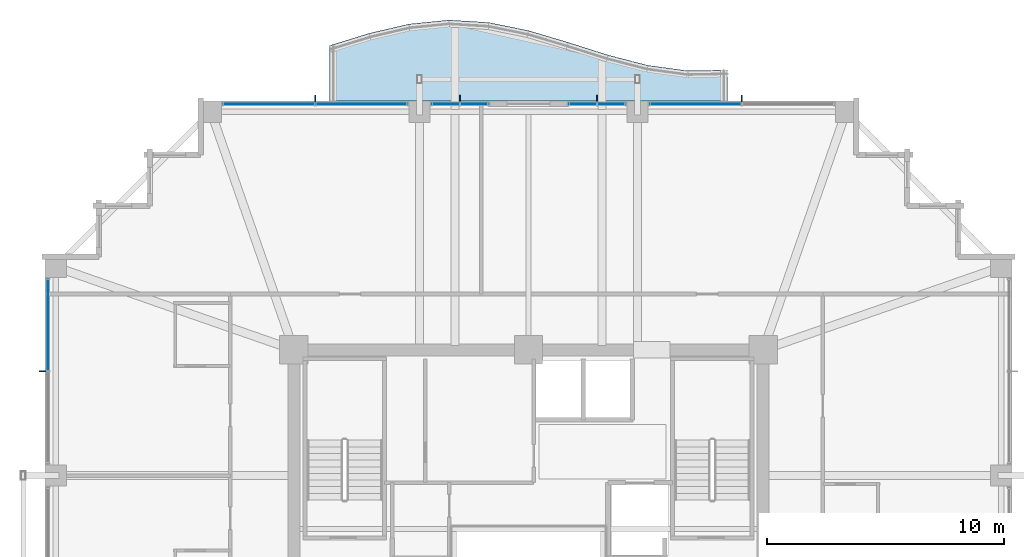
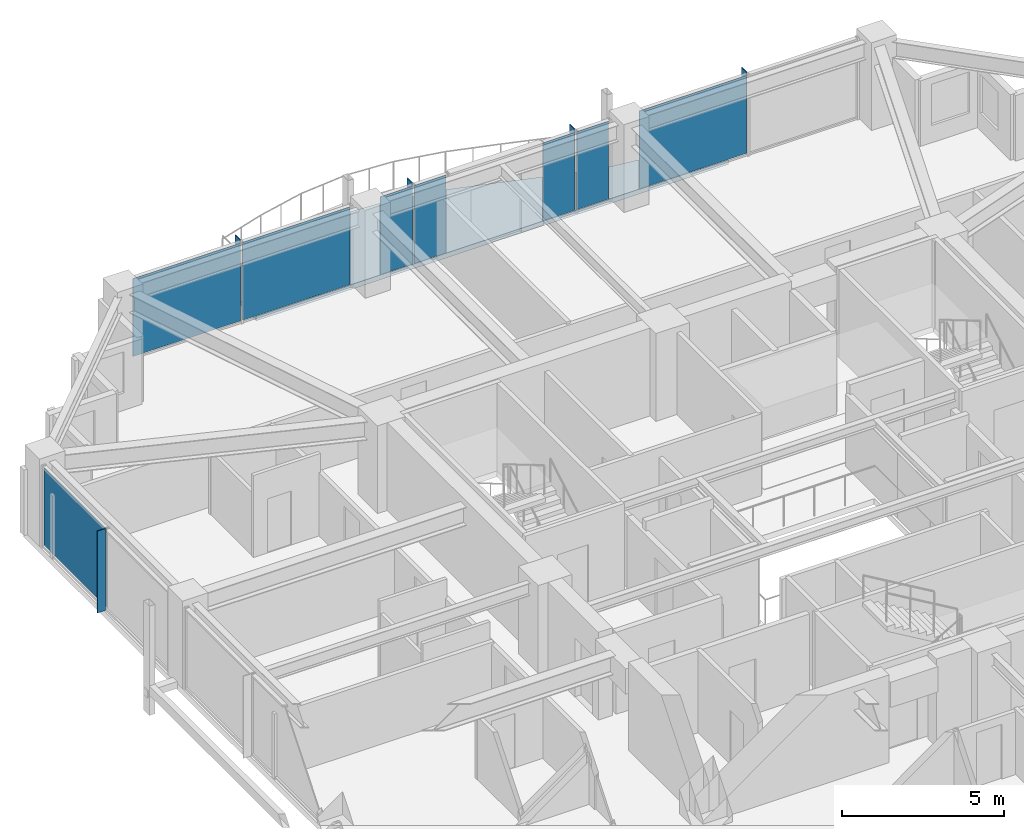
# One storey, part 29 of 37: 13 plates, 1 slab, 5 elements without a shape of their own.
"""IFC4 building model written with IfcOpenShell, lengths in metres."""

import ifcopenshell
import ifcopenshell.guid

model = None  # the IFC model being written
_history = None  # IfcOwnerHistory: only IFC2X3 demands one
_inside = {}  # id of a spatial element -> (the spatial element, [elements in it])
_under = {}  # id of a project, library or spatial element -> (it, [spatial elements below it])
_declared = {}  # id of a project -> (the project, [libraries it declares])
_typed = {}  # id of a type object -> (the type object, [elements of that type])
_made_of = {}  # id of a material, layer set ... -> (it, [elements and type objects made of it])


def new_model(schema):
    """Start an empty IFC model of exactly this schema.

    Asked for "IFC4X3", IfcOpenShell would pick the latest addendum, in which some entities
    have other attributes; the version numbers below select the first issue.
    IFC2X3 requires an IfcOwnerHistory on every rooted entity: one is made here for all.
    """
    global model, _history
    if schema == "IFC4X3":
        model = ifcopenshell.file(schema_version=(4, 3, 0, 0))
    else:
        model = ifcopenshell.file(schema=schema)
    _inside.clear()
    _under.clear()
    _declared.clear()
    _typed.clear()
    _made_of.clear()
    _history = None
    if model.schema == "IFC2X3":
        org = make("IfcOrganization", Name="unknown")
        user = make(
            "IfcPersonAndOrganization",
            ThePerson=make("IfcPerson", FamilyName="unknown"),
            TheOrganization=org,
        )
        app = make(
            "IfcApplication",
            ApplicationDeveloper=org,
            Version="unknown",
            ApplicationFullName="unknown",
            ApplicationIdentifier="unknown",
        )
        _history = make(
            "IfcOwnerHistory",
            OwningUser=user,
            OwningApplication=app,
            ChangeAction="ADDED",
            CreationDate=0,
        )
    return model


def make(cls, **values):
    """One entity of the class cls with the attributes given. An attribute that is None is left unset."""
    return model.create_entity(
        cls, **{name: value for name, value in values.items() if value is not None}
    )


def rooted(cls, **values):
    """An entity with a GlobalId (a new one), such as an element, a storey or a relation."""
    return make(cls, GlobalId=ifcopenshell.guid.new(), OwnerHistory=_history, **values)


def si_unit(unit_type, name, prefix=None):
    """IfcSIUnit, for example si_unit("LENGTHUNIT", "METRE", prefix="MILLI")."""
    return make("IfcSIUnit", UnitType=unit_type, Prefix=prefix, Name=name)


def assignment(units):
    """IfcUnitAssignment: the units of a project."""
    return None if units is None else make("IfcUnitAssignment", Units=units)


def point(xyz):
    """IfcCartesianPoint."""
    return None if xyz is None else make("IfcCartesianPoint", Coordinates=xyz)


def direction(xyz):
    """IfcDirection."""
    return None if xyz is None else make("IfcDirection", DirectionRatios=xyz)


def frame(location, z_axis=None, x_axis=None):
    """IfcAxis2Placement3D, a coordinate frame: its origin and axes. An axis left out is left unset."""
    return make(
        "IfcAxis2Placement3D",
        Location=point(location),
        Axis=direction(z_axis),
        RefDirection=direction(x_axis),
    )


def frame_2d(location, x_axis=None):
    """IfcAxis2Placement2D, a coordinate frame in the plane: its origin and x axis."""
    return make(
        "IfcAxis2Placement2D", Location=point(location), RefDirection=direction(x_axis)
    )


def origin():
    """The frame at (0, 0, 0) with its axes left unset."""
    return frame((0.0, 0.0, 0.0))


def origin_2d():
    """The frame at (0, 0) in the plane with its x axis left unset."""
    return frame_2d((0.0, 0.0))


def place(relative_to, where):
    """IfcLocalPlacement: puts the frame where relative to a parent placement (None: the world)."""
    return make(
        "IfcLocalPlacement", PlacementRelTo=relative_to, RelativePlacement=where
    )


def context(
    kind, dimensions, precision=None, world=None, true_north=None, identifier=None
):
    """IfcGeometricRepresentationContext, for example the 3D "Model" context."""
    return make(
        "IfcGeometricRepresentationContext",
        ContextIdentifier=identifier,
        ContextType=kind,
        CoordinateSpaceDimension=dimensions,
        Precision=precision,
        WorldCoordinateSystem=world,
        TrueNorth=true_north,
    )


def subcontext(parent, identifier, kind, view, scale=None):
    """IfcGeometricRepresentationSubContext, for example "Body" below "Model"."""
    return make(
        "IfcGeometricRepresentationSubContext",
        ContextIdentifier=identifier,
        ContextType=kind,
        ParentContext=parent,
        TargetScale=scale,
        TargetView=view,
    )


def project(units=None, contexts=None):
    """IfcProject with its units and contexts."""
    return rooted(
        "IfcProject",
        Name="project",
        RepresentationContexts=contexts,
        UnitsInContext=assignment(units),
    )


def spatial(cls, under=None, at=None, **own):
    """A site, building, storey or space (cls), placed at a placement, below another one or the project."""
    s = rooted(cls, ObjectPlacement=at, **own)
    if under is not None:
        _under.setdefault(under.id(), (under, []))[1].append(s)
    return s


def polyline(points):
    """IfcPolyline through the points."""
    return make("IfcPolyline", Points=[point(p) for p in points])


def profile(cls, at=None, kind="AREA", **sizes):
    """A parametric profile (cls). Its sizes go by their IFC names, for example OverallWidth=200.0."""
    return make(cls, ProfileType=kind, Position=at, **sizes)


def rectangle(**sizes):
    """IfcRectangleProfileDef."""
    return profile("IfcRectangleProfileDef", **sizes)


def outline(outer, holes=None, kind="AREA"):
    """IfcArbitraryClosedProfileDef: a profile drawn as a closed curve; with holes, ...WithVoids."""
    if holes is None:
        return make("IfcArbitraryClosedProfileDef", ProfileType=kind, OuterCurve=outer)
    return make(
        "IfcArbitraryProfileDefWithVoids",
        ProfileType=kind,
        OuterCurve=outer,
        InnerCurves=holes,
    )


def extrude(swept, where, along, depth):
    """IfcExtrudedAreaSolid: the profile swept, set in the frame where, extruded along a direction by depth."""
    return make(
        "IfcExtrudedAreaSolid",
        SweptArea=swept,
        Position=where,
        ExtrudedDirection=direction(along),
        Depth=depth,
    )


def shape(context_of_items, identifier, shape_type, items):
    """IfcShapeRepresentation: the items that make up one representation, for example the "Body"."""
    return make(
        "IfcShapeRepresentation",
        ContextOfItems=context_of_items,
        RepresentationIdentifier=identifier,
        RepresentationType=shape_type,
        Items=items,
    )


def material(Name=None, Category=None):
    """IfcMaterial."""
    return make("IfcMaterial", Name=Name, Category=Category)


def layer(
    of_material, thickness, ventilated=None, Name=None, Category=None, Priority=None
):
    """IfcMaterialLayer: one layer of a wall or slab, of a material (None: an air gap)."""
    return make(
        "IfcMaterialLayer",
        Material=of_material,
        LayerThickness=thickness,
        IsVentilated=ventilated,
        Name=Name,
        Category=Category,
        Priority=Priority,
    )


def layer_set(layers, Name=None):
    """IfcMaterialLayerSet."""
    return make("IfcMaterialLayerSet", MaterialLayers=layers, LayerSetName=Name)


def made_of(thing, what):
    """Note that an element or type object is made of a material, layer set ...; save() writes the relation."""
    if what is not None:
        _made_of.setdefault(what.id(), (what, []))[1].append(thing)
    return thing


def type_object(cls, material=None, **own):
    """A type object (cls), such as IfcWallType, which elements share."""
    return made_of(rooted(cls, **own), material)


def element(
    cls,
    number,
    at=None,
    inside=None,
    cuts=None,
    type_object=None,
    material=None,
    context=None,
    identifier="Body",
    shape_type=None,
    held_by="IfcProductDefinitionShape",
    body=None,
    shapes=None,
    **own,
):
    """One element of the class cls, such as IfcWall. Its Tag is "e" and its number.

    at: its placement. inside: the storey or other place that contains it. cuts: it is an
    opening in that element (IfcRelVoidsElement). A single representation is given by context,
    identifier, shape_type and body (its items); several are given by shapes. held_by: the class
    of the entity that holds the representations. save() writes the other relations.
    """
    e = rooted(cls, Tag="e%d" % number, ObjectPlacement=at, **own)
    if body is not None:
        shapes = [shape(context, identifier, shape_type, body)]
    if shapes is not None:
        e.Representation = make(held_by, Representations=shapes)
    if inside is not None:
        _inside.setdefault(inside.id(), (inside, []))[1].append(e)
    if cuts is not None:
        rooted(
            "IfcRelVoidsElement", RelatingBuildingElement=cuts, RelatedOpeningElement=e
        )
    if type_object is not None:
        _typed.setdefault(type_object.id(), (type_object, []))[1].append(e)
    return made_of(e, material)


def aggregate(whole, parts):
    """IfcRelAggregates: a whole, such as a stair, and the parts it consists of."""
    return rooted("IfcRelAggregates", RelatingObject=whole, RelatedObjects=parts)


def save(model, path):
    """Write the relations noted so far, then the file.

    IfcRelAggregates (storeys below a building ...), IfcRelContainedInSpatialStructure (elements
    in a storey), IfcRelDefinesByType, IfcRelAssociatesMaterial and IfcRelDeclares: one each for
    every whole, place, type object, material and project.
    """
    for whole, parts in _under.values():
        aggregate(whole, parts)
    for where, things in _inside.values():
        rooted(
            "IfcRelContainedInSpatialStructure",
            RelatedElements=things,
            RelatingStructure=where,
        )
    for kind, things in _typed.values():
        rooted("IfcRelDefinesByType", RelatedObjects=things, RelatingType=kind)
    for what, things in _made_of.values():
        rooted("IfcRelAssociatesMaterial", RelatedObjects=things, RelatingMaterial=what)
    for by, libraries in _declared.values():
        rooted("IfcRelDeclares", RelatingContext=by, RelatedDefinitions=libraries)
    model.write(path)


model = new_model("IFC4")

# Units and contexts
model_context = context("Model", 3, precision=1e-05, world=origin(), true_north=direction((0.0, 1.0)))
body_context = subcontext(model_context, "Body", "Model", "MODEL_VIEW")
ifc_project = project(units=[si_unit("LENGTHUNIT", "METRE"), si_unit("AREAUNIT", "SQUARE_METRE"), si_unit("VOLUMEUNIT", "CUBIC_METRE"), si_unit("PLANEANGLEUNIT", "RADIAN"), si_unit("MASSUNIT", "GRAM", prefix="KILO")], contexts=[model_context])

# Site, building, storey
site_placement = place(None, origin())
site = spatial("IfcSite", under=ifc_project, at=site_placement, CompositionType="ELEMENT")
building_placement = place(site_placement, origin())
building = spatial("IfcBuilding", under=site, at=building_placement, Name="Kolvaren Belvedere", CompositionType="ELEMENT")
storey_placement = place(building_placement, frame((0.0, 0.0, 173.39990234375)))
storey = spatial("IfcBuildingStorey", under=building, at=storey_placement, Name="L50", CompositionType="ELEMENT", Elevation=173.39990234375)

# Curtain wall, plates
ifc_material_1 = material(Name="Anodised pale-metal aluminium AA 6063-T6", Category="aluminium")
curtain_wall_type = type_object("IfcCurtainWallType", Name="CW-Z5-HIGH", PredefinedType="NOTDEFINED", material=ifc_material_1)
curtain_wall_1_placement = place(storey_placement, origin())
curtain_wall_1 = element("IfcCurtainWall", 1, at=curtain_wall_1_placement, inside=storey, type_object=curtain_wall_type, Name="L50 Unitised Curtain Wall FCW-L50-N1-B1", PredefinedType="NOTDEFINED")
ifc_material_2 = material(Name="Low-iron triple insulated glass", Category="glass")
ifc_layer_1 = layer(ifc_material_2, 0.028076171875)
ifc_layer_set_1 = layer_set([ifc_layer_1], Name="Low-iron triple insulated glass")
plate_type_1 = type_object("IfcPlateType", Name="CW-PNL-VIS28", PredefinedType="CURTAIN_PANEL", material=ifc_layer_set_1)
plate_1_placement = place(storey_placement, frame((-10.947509765625, 20.280029296875, 0.080078125), z_axis=(0.0, 0.0, 1.0), x_axis=(1.0, 0.0, 0.0)))
plate_1 = element("IfcPlate", 2, at=plate_1_placement, type_object=plate_type_1, Name="FCW-L50-N1-B1 Vision Glazing Panel 1", PredefinedType="CURTAIN_PANEL", context=body_context, shape_type="SweptSolid", body=[
    extrude(rectangle(XDim=3.81494140625, YDim=0.028076171875, at=origin_2d()), origin(), (0.0, 0.0, 1.0), 2.919921875),
])
plate_2_placement = place(storey_placement, frame((-7.052490234375, 20.280029296875, 0.080078125), z_axis=(0.0, 0.0, 1.0), x_axis=(1.0, 0.0, 0.0)))
plate_2 = element("IfcPlate", 3, at=plate_2_placement, type_object=plate_type_1, Name="FCW-L50-N1-B1 Vision Glazing Panel 2", PredefinedType="CURTAIN_PANEL", context=body_context, shape_type="SweptSolid", body=[
    extrude(rectangle(XDim=3.81494140625, YDim=0.028076171875, at=origin_2d()), origin(), (0.0, 0.0, 1.0), 2.919921875),
])
aggregate(curtain_wall_1, [plate_1, plate_2])

curtain_wall_2_placement = place(storey_placement, origin())
curtain_wall_2 = element("IfcCurtainWall", 4, at=curtain_wall_2_placement, inside=storey, type_object=curtain_wall_type, Name="L50 Unitised Curtain Wall FCW-L50-N1-B2", PredefinedType="NOTDEFINED")
plate_3_placement = place(storey_placement, frame((-3.4912109375, 20.280029296875, 0.080078125), z_axis=(0.0, 0.0, 1.0), x_axis=(1.0, 0.0, 0.0)))
plate_3 = element("IfcPlate", 5, at=plate_3_placement, type_object=plate_type_1, Name="FCW-L50-N1-B2 Vision Glazing Panel 1", PredefinedType="CURTAIN_PANEL", context=body_context, shape_type="SweptSolid", body=[
    extrude(rectangle(XDim=1.12744140625, YDim=0.028076171875, at=origin_2d()), origin(), (0.0, 0.0, 1.0), 2.919921875),
])
plate_4_placement = place(storey_placement, frame((-2.28369140625, 20.280029296875, 0.080078125), z_axis=(0.0, 0.0, 1.0), x_axis=(1.0, 0.0, 0.0)))
plate_4 = element("IfcPlate", 6, at=plate_4_placement, type_object=plate_type_1, Name="FCW-L50-N1-B2 Vision Glazing Panel 2", PredefinedType="CURTAIN_PANEL", context=body_context, shape_type="SweptSolid", body=[
    extrude(rectangle(XDim=1.12744140625, YDim=0.028076171875, at=origin_2d()), origin(), (0.0, 0.0, 1.0), 2.919921875),
])
aggregate(curtain_wall_2, [plate_3, plate_4])

curtain_wall_3_placement = place(storey_placement, origin())
curtain_wall_3 = element("IfcCurtainWall", 7, at=curtain_wall_3_placement, inside=storey, type_object=curtain_wall_type, Name="L50 Unitised Curtain Wall FCW-L50-N2-B1", PredefinedType="NOTDEFINED")
plate_5_placement = place(storey_placement, frame((2.28369140625, 20.280029296875, 0.080078125), z_axis=(0.0, 0.0, 1.0), x_axis=(1.0, 0.0, 0.0)))
plate_5 = element("IfcPlate", 8, at=plate_5_placement, type_object=plate_type_1, Name="FCW-L50-N2-B1 Vision Glazing Panel 1", PredefinedType="CURTAIN_PANEL", context=body_context, shape_type="SweptSolid", body=[
    extrude(rectangle(XDim=1.12744140625, YDim=0.028076171875, at=origin_2d()), origin(), (0.0, 0.0, 1.0), 2.919921875),
])
plate_6_placement = place(storey_placement, frame((3.4912109375, 20.280029296875, 0.080078125), z_axis=(0.0, 0.0, 1.0), x_axis=(1.0, 0.0, 0.0)))
plate_6 = element("IfcPlate", 9, at=plate_6_placement, type_object=plate_type_1, Name="FCW-L50-N2-B1 Vision Glazing Panel 2", PredefinedType="CURTAIN_PANEL", context=body_context, shape_type="SweptSolid", body=[
    extrude(rectangle(XDim=1.12744140625, YDim=0.028076171875, at=origin_2d()), origin(), (0.0, 0.0, 1.0), 2.919921875),
])
aggregate(curtain_wall_3, [plate_5, plate_6])

# Curtain wall, plate
curtain_wall_4_placement = place(storey_placement, origin())
curtain_wall_4 = element("IfcCurtainWall", 10, at=curtain_wall_4_placement, inside=storey, type_object=curtain_wall_type, Name="L50 Unitised Curtain Wall FCW-L50-N2-B2", PredefinedType="NOTDEFINED")
plate_7_placement = place(storey_placement, frame((7.052490234375, 20.280029296875, 0.080078125), z_axis=(0.0, 0.0, 1.0), x_axis=(1.0, 0.0, 0.0)))
plate_7 = element("IfcPlate", 11, at=plate_7_placement, type_object=plate_type_1, Name="FCW-L50-N2-B2 Vision Glazing Panel 1", PredefinedType="CURTAIN_PANEL", context=body_context, shape_type="SweptSolid", body=[
    extrude(rectangle(XDim=3.81494140625, YDim=0.028076171875, at=origin_2d()), origin(), (0.0, 0.0, 1.0), 2.919921875),
])
aggregate(curtain_wall_4, [plate_7])

curtain_wall_5_placement = place(storey_placement, origin())
curtain_wall_5 = element("IfcCurtainWall", 12, at=curtain_wall_5_placement, inside=storey, type_object=curtain_wall_type, Name="L50 Unitised Curtain Wall FCW-L50-W-B3", PredefinedType="NOTDEFINED")
plate_8_placement = place(storey_placement, frame((-20.280029296875, 10.947509765625, 0.080078125), z_axis=(0.0, 0.0, 1.0), x_axis=(0.0, 1.0, 0.0)))
plate_8 = element("IfcPlate", 13, at=plate_8_placement, type_object=plate_type_1, Name="FCW-L50-W-B3 Vision Glazing Panel 2", PredefinedType="CURTAIN_PANEL", context=body_context, shape_type="SweptSolid", body=[
    extrude(rectangle(XDim=3.81494140625, YDim=0.028076171875, at=origin_2d()), origin(), (0.0, 0.0, 1.0), 2.919921875),
])
aggregate(curtain_wall_5, [plate_8])

# Plates
ifc_material_3 = material(Name="Anodised pale-metal aluminium AA 6063-T6", Category="aluminium")
ifc_layer_2 = layer(ifc_material_3, 0.030029296875)
ifc_layer_set_2 = layer_set([ifc_layer_2], Name="Anodised pale-metal aluminium AA 6063-T6")
plate_type_2 = type_object("IfcPlateType", Name="FIN-VERT-300", PredefinedType="USERDEFINED", material=ifc_layer_set_2)
for number, where, z_axis, x_axis, name in (
    (14, (-9.0, 20.489990234375, 0.0), (0.0, 0.0, 1.0), (0.0, 1.0, 0.0), "L50 Pale-Metal Vertical Shading Fin FCW-L50-N1-B1-1"),
    (15, (-2.887451171875, 20.489990234375, 0.0), (0.0, 0.0, 1.0), (0.0, 1.0, 0.0), "L50 Pale-Metal Vertical Shading Fin FCW-L50-N1-B2-1"),
    (16, (2.887451171875, 20.489990234375, 0.0), (0.0, 0.0, 1.0), (0.0, 1.0, 0.0), "L50 Pale-Metal Vertical Shading Fin FCW-L50-N2-B1-1"),
    (17, (9.0, 20.489990234375, 0.0), (0.0, 0.0, 1.0), (0.0, 1.0, 0.0), "L50 Pale-Metal Vertical Shading Fin FCW-L50-N2-B2-1"),
    (18, (-20.489990234375, 9.0, 0.0), (0.0, 0.0, 1.0), (1.0, 0.0, 0.0), "L50 Pale-Metal Vertical Shading Fin FCW-L50-W-B3-1"),
):
    element("IfcPlate", number, at=place(storey_placement, frame(where, z_axis=z_axis, x_axis=x_axis)), inside=storey, type_object=plate_type_2, Name=name, ObjectType="VERTICAL FIN", PredefinedType="USERDEFINED", context=body_context, shape_type="SweptSolid", body=[
        extrude(rectangle(XDim=0.300048828125, YDim=0.030029296875, at=origin_2d()), origin(), (0.0, 0.0, 1.0), 3.080078125),
    ])

# Slab
ifc_material_4 = material(Name="Concrete C50/60", Category="concrete")
ifc_layer_3 = layer(ifc_material_4, 0.179931640625)
ifc_layer_set_3 = layer_set([ifc_layer_3], Name="Concrete C50/60")
slab_type = type_object("IfcSlabType", Name="SL-BAL-180", PredefinedType="FLOOR", material=ifc_layer_set_3)
slab_placement = place(storey_placement, frame((0.0, 0.0, -0.219970703125)))
element("IfcSlab", 19, at=slab_placement, inside=storey, type_object=slab_type, Name="L50 Planted Balcony BAL-N", PredefinedType="FLOOR", context=body_context, shape_type="SweptSolid", body=[
    extrude(outline(polyline([(-8.39990234375, 20.39990234375), (-6.719970703125, 20.39990234375), (-5.0400390625, 20.39990234375), (-3.360107421875, 20.39990234375), (-1.679931640625, 20.39990234375), (0.0, 20.39990234375), (1.679931640625, 20.39990234375), (3.360107421875, 20.39990234375), (5.0400390625, 20.39990234375), (6.719970703125, 20.39990234375), (8.39990234375, 20.39990234375), (8.39990234375, 21.712890625), (6.719970703125, 21.67919921875), (5.0400390625, 21.90771484375), (3.360107421875, 22.34228515625), (1.679931640625, 22.87548828125), (0.0, 23.374755859375), (-1.679931640625, 23.71728515625), (-3.360107421875, 23.820068359375), (-5.0400390625, 23.65185546875), (-6.719970703125, 23.26025390625), (-8.39990234375, 22.739990234375), (-8.39990234375, 20.39990234375)])), origin(), (0.0, 0.0, 1.0), 0.18017578125),
])

save(model, "model.ifc")
